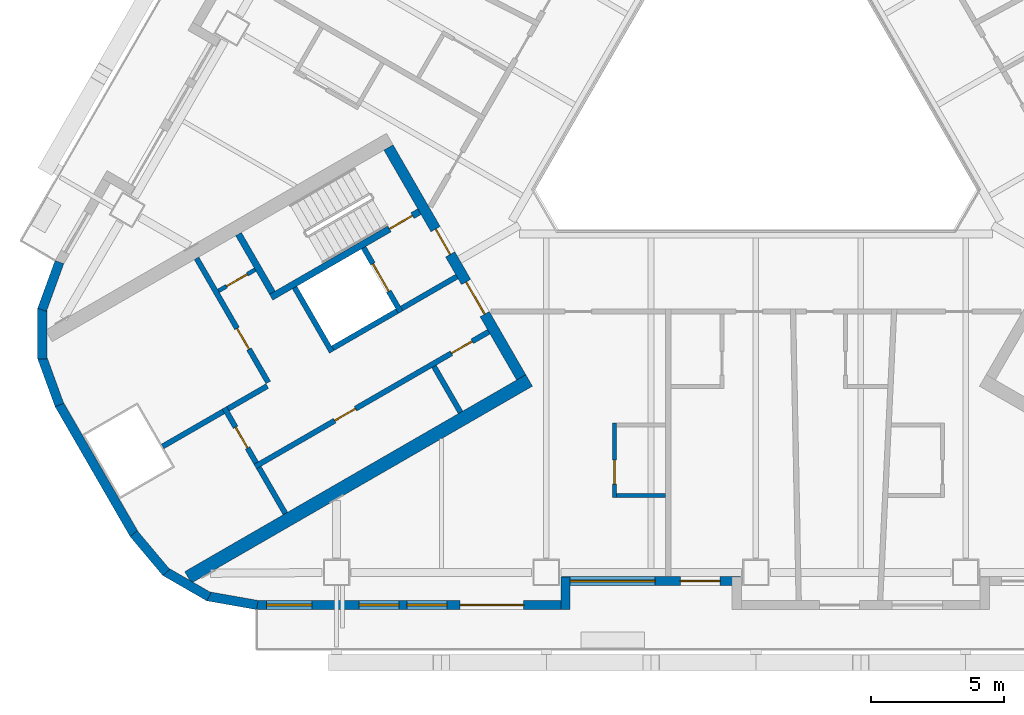
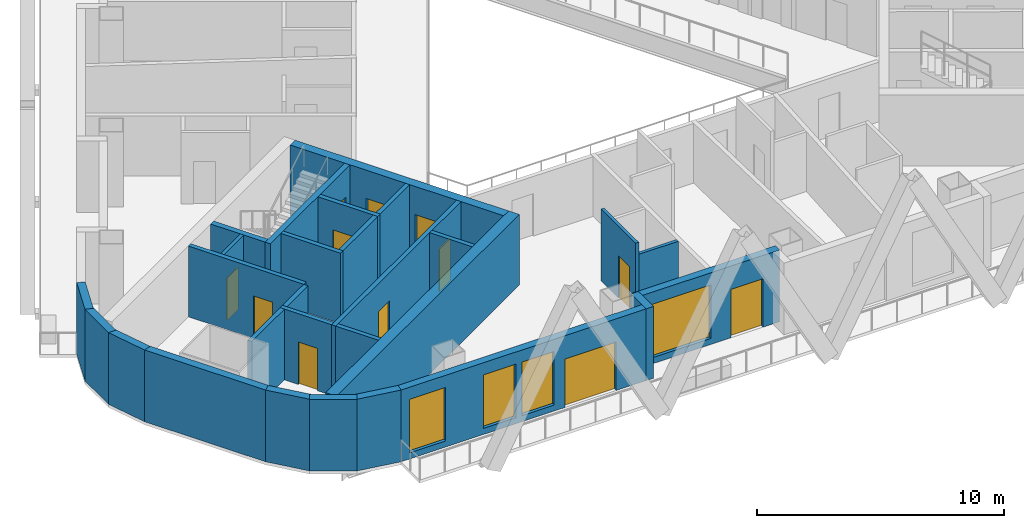
# One storey, part 5 of 17: 28 walls, 12 doors, 4 windows, 16 openings.
"""IFC4 building model written with IfcOpenShell, lengths in metres."""

from ifc_helpers import new_model, si_unit, direction, frame, frame_2d, origin, place, context, subcontext, project, spatial, rectangle, extrude, material, layer, layer_set, type_object, element, fill, save


model = new_model("IFC4")

# Units and contexts
model_context = context("Model", 3, precision=1e-05, world=origin(), true_north=direction((0.0, 1.0)))
body_context = subcontext(model_context, "Body", "Model", "MODEL_VIEW")
ifc_project = project(units=[si_unit("LENGTHUNIT", "METRE"), si_unit("AREAUNIT", "SQUARE_METRE"), si_unit("VOLUMEUNIT", "CUBIC_METRE"), si_unit("PLANEANGLEUNIT", "RADIAN"), si_unit("MASSUNIT", "GRAM", prefix="KILO")], contexts=[model_context])

# Site, building, storey
site_placement = place(None, origin())
site = spatial("IfcSite", under=ifc_project, at=site_placement, CompositionType="ELEMENT")
building_placement = place(site_placement, origin())
building = spatial("IfcBuilding", under=site, at=building_placement, Name="Apuvela Tower Hotel", CompositionType="ELEMENT")
storey_placement = place(building_placement, frame((0.0, 0.0, 46.5)))
storey = spatial("IfcBuildingStorey", under=building, at=storey_placement, Name="L08", CompositionType="ELEMENT", Elevation=46.5)

# Wall, openings, doors
ifc_material_1 = material(Name="Concrete C50/60", Category="concrete")
ifc_layer_1 = layer(ifc_material_1, 0.39990234375)
ifc_layer_set_1 = layer_set([ifc_layer_1], Name="COR-WALL-CORE-400")
wall_type_1 = type_object("IfcWallType", Name="COR-WALL-CORE-400", PredefinedType="SHEAR", material=ifc_layer_set_1)
wall_1_placement = place(storey_placement, frame((-13.844970703125, -2.219970703125, 0.0), z_axis=(0.0, 0.0, 1.0), x_axis=(0.500004234368, -0.866022959057, 0.0)))
wall_1 = element("IfcWall", 1, at=wall_1_placement, inside=storey, type_object=wall_type_1, Name="Core wall SW", PredefinedType="SHEAR", context=body_context, shape_type="SweptSolid", body=[
    extrude(rectangle(XDim=10.0, YDim=0.39990234375, at=frame_2d((5.0, 0.0))), origin(), (0.0, 0.0, 1.0), 3.5),
])
opening_1_placement = place(wall_1_placement, frame((3.550048828125, 0.0, 0.0)))
opening_1 = element("IfcOpeningElement", 2, at=opening_1_placement, cuts=wall_1, Name="Opening W-FD", PredefinedType="OPENING", context=body_context, shape_type="SweptSolid", body=[
    extrude(rectangle(XDim=1.10009765625, YDim=2.10009765625, at=frame_2d((0.550048828125, 1.050048828125))), frame((0.0, 0.2099609375, 0.0), z_axis=(0.0, -1.0, 0.0), x_axis=(1.0, 0.0, 0.0)), (0.0, 0.0, 1.0), 0.419921875),
])
opening_2_placement = place(wall_1_placement, frame((5.85009765625, 0.0, 0.0)))
opening_2 = element("IfcOpeningElement", 3, at=opening_2_placement, cuts=wall_1, Name="Opening W-GD", PredefinedType="OPENING", context=body_context, shape_type="SweptSolid", body=[
    extrude(rectangle(XDim=1.39990234375, YDim=2.10009765625, at=frame_2d((0.699951171875, 1.050048828125))), frame((0.0, 0.2099609375, 0.0), z_axis=(0.0, -1.0, 0.0), x_axis=(1.0, 0.0, 0.0)), (0.0, 0.0, 1.0), 0.419921875),
])
ifc_material_2 = material(Name="Steel fire door, powder coated", Category="steel")
door_type_1 = type_object("IfcDoorType", Name="COR-FD-1100", OperationType="NOTDEFINED", PredefinedType="DOOR", material=ifc_material_2)
door_1_placement = place(opening_1_placement, frame((1.10009765625, 0.0, 0.0), z_axis=(0.0, 0.0, 1.0), x_axis=(-1.0, 0.0, 0.0)))
door_1 = element("IfcDoor", 4, at=door_1_placement, inside=storey, type_object=door_type_1, Name="Firefighting lobby door W-FD", OperationType="SINGLE_SWING_LEFT", OverallHeight=2.10009765625, OverallWidth=1.10009765625, PredefinedType="DOOR", context=body_context, shape_type="SweptSolid", body=[
    extrude(rectangle(XDim=1.10009765625, YDim=2.10009765625, at=frame_2d((0.550048828125, 1.050048828125))), frame((0.0, 0.02490234375, 0.0), z_axis=(0.0, -1.0, 0.0), x_axis=(1.0, 0.0, 0.0)), (0.0, 0.0, 1.0), 0.050048828125),
])
fill(opening_1, door_1)
ifc_material_3 = material(Name="Glazed steel fire door", Category="steel")
door_type_2 = type_object("IfcDoorType", Name="COR-GD-1400", OperationType="DOUBLE_DOOR_SINGLE_SWING", PredefinedType="DOOR", material=ifc_material_3)
door_2_placement = place(opening_2_placement, frame((1.39990234375, 0.0, 0.0), z_axis=(0.0, 0.0, 1.0), x_axis=(-1.0, 0.0, 0.0)))
door_2 = element("IfcDoor", 5, at=door_2_placement, inside=storey, type_object=door_type_2, Name="Lift lobby door W-GD", OperationType="DOUBLE_DOOR_SINGLE_SWING", OverallHeight=2.10009765625, OverallWidth=1.39990234375, PredefinedType="DOOR", context=body_context, shape_type="SweptSolid", body=[
    extrude(rectangle(XDim=1.39990234375, YDim=2.10009765625, at=frame_2d((0.699951171875, 1.050048828125))), frame((0.0, 0.02490234375, 0.0), z_axis=(0.0, -1.0, 0.0), x_axis=(1.0, 0.0, 0.0)), (0.0, 0.0, 1.0), 0.050048828125),
])
fill(opening_2, door_2)

# Wall
ifc_layer_2 = layer(ifc_material_1, 0.5)
ifc_layer_set_2 = layer_set([ifc_layer_2], Name="COR-WALL-CORE-500")
wall_type_2 = type_object("IfcWallType", Name="COR-WALL-CORE-500", PredefinedType="SHEAR", material=ifc_layer_set_2)
wall_2_placement = place(storey_placement, frame((-8.546630859375, -10.99658203125, 0.0), z_axis=(0.0, 0.0, 1.0), x_axis=(-0.866025009528, -0.500000682871, 0.0)))
element("IfcWall", 6, at=wall_2_placement, inside=storey, type_object=wall_type_2, Name="Core wall SW", PredefinedType="SHEAR", context=body_context, shape_type="SweptSolid", body=[
    extrude(rectangle(XDim=14.8369140625, YDim=0.5, at=frame_2d((7.41845703125, 0.0))), origin(), (0.0, 0.0, 1.0), 3.5),
])

# Wall, opening, door
ifc_material_4 = material(Name="Blockwork 150 mm plastered", Category="masonry")
ifc_layer_3 = layer(ifc_material_4, 0.14990234375)
ifc_layer_set_3 = layer_set([ifc_layer_3], Name="COR-WALL-PART-150")
wall_type_3 = type_object("IfcWallType", Name="COR-WALL-PART-150", PredefinedType="PARTITIONING", material=ifc_layer_set_3)
wall_3_placement = place(storey_placement, frame((-18.866455078125, -6.822265625, 0.0), z_axis=(0.0, 0.0, 1.0), x_axis=(-0.866028054938, -0.499995408039, 0.0)))
wall_3 = element("IfcWall", 7, at=wall_3_placement, inside=storey, type_object=wall_type_3, Name="Partition SW", PredefinedType="PARTITIONING", context=body_context, shape_type="SweptSolid", body=[
    extrude(rectangle(XDim=1.60009765625, YDim=0.14990234375, at=frame_2d((0.800048828125, 0.0))), origin(), (0.0, 0.0, 1.0), 3.5),
])
opening_3_placement = place(wall_3_placement, frame((0.35009765625, 0.0, 0.0)))
opening_3 = element("IfcOpeningElement", 8, at=opening_3_placement, cuts=wall_3, Name="Opening W-RD", PredefinedType="OPENING", context=body_context, shape_type="SweptSolid", body=[
    extrude(rectangle(XDim=0.89990234375, YDim=2.10009765625, at=frame_2d((0.449951171875, 1.050048828125))), frame((0.0, 0.0849609375, 0.0), z_axis=(0.0, -1.0, 0.0), x_axis=(1.0, 0.0, 0.0)), (0.0, 0.0, 1.0), 0.169921875),
])
ifc_material_5 = material(Name="Steel access door, powder coated", Category="steel")
door_type_3 = type_object("IfcDoorType", Name="COR-RD-900", OperationType="NOTDEFINED", PredefinedType="DOOR", material=ifc_material_5)
door_3_placement = place(opening_3_placement, frame((0.89990234375, 0.0, 0.0), z_axis=(0.0, 0.0, 1.0), x_axis=(-1.0, 0.0, 0.0)))
door_3 = element("IfcDoor", 9, at=door_3_placement, inside=storey, type_object=door_type_3, Name="Riser door W-RD", OperationType="SINGLE_SWING_RIGHT", OverallHeight=2.10009765625, OverallWidth=0.89990234375, PredefinedType="DOOR", context=body_context, shape_type="SweptSolid", body=[
    extrude(rectangle(XDim=0.89990234375, YDim=2.10009765625, at=frame_2d((0.449951171875, 1.050048828125))), frame((0.0, 0.02490234375, 0.0), z_axis=(0.0, -1.0, 0.0), x_axis=(1.0, 0.0, 0.0)), (0.0, 0.0, 1.0), 0.050048828125),
])
fill(opening_3, door_3)

ifc_material_6 = material(Name="Blockwork 200 mm plastered", Category="masonry")
ifc_layer_4 = layer(ifc_material_6, 0.199951171875)
ifc_layer_set_4 = layer_set([ifc_layer_4], Name="COR-WALL-PART-200")
wall_type_4 = type_object("IfcWallType", Name="COR-WALL-PART-200", PredefinedType="PARTITIONING", material=ifc_layer_set_4)
wall_4_placement = place(storey_placement, frame((-21.076171875, -6.39501953125, 0.0), z_axis=(0.0, 0.0, 1.0), x_axis=(0.50001468107, -0.866016927499, 0.0)))
wall_4 = element("IfcWall", 10, at=wall_4_placement, inside=storey, type_object=wall_type_4, Name="Partition SW", PredefinedType="PARTITIONING", context=body_context, shape_type="SweptSolid", body=[
    extrude(rectangle(XDim=5.399658203125, YDim=0.199951171875, at=frame_2d((2.69970703125, 0.0))), origin(), (0.0, 0.0, 1.0), 3.5),
])
opening_4_placement = place(wall_4_placement, frame((3.050048828125, 0.0, 0.0)))
opening_4 = element("IfcOpeningElement", 11, at=opening_4_placement, cuts=wall_4, Name="Opening W-RS1", PredefinedType="OPENING", context=body_context, shape_type="SweptSolid", body=[
    extrude(rectangle(XDim=0.89990234375, YDim=2.10009765625, at=frame_2d((0.449951171875, 1.050048828125))), frame((0.0, 0.10986328125, 0.0), z_axis=(0.0, -1.0, 0.0), x_axis=(1.0, 0.0, 0.0)), (0.0, 0.0, 1.0), 0.219970703125),
])
door_type_4 = type_object("IfcDoorType", Name="COR-DR-900", OperationType="NOTDEFINED", PredefinedType="DOOR", material=ifc_material_2)
door_4_placement = place(opening_4_placement, frame((0.89990234375, 0.0, 0.0), z_axis=(0.0, 0.0, 1.0), x_axis=(-1.0, 0.0, 0.0)))
door_4 = element("IfcDoor", 12, at=door_4_placement, inside=storey, type_object=door_type_4, Name="Store door W-RS1", OperationType="SINGLE_SWING_LEFT", OverallHeight=2.10009765625, OverallWidth=0.89990234375, PredefinedType="DOOR", context=body_context, shape_type="SweptSolid", body=[
    extrude(rectangle(XDim=0.89990234375, YDim=2.10009765625, at=frame_2d((0.449951171875, 1.050048828125))), frame((0.0, 0.02490234375, 0.0), z_axis=(0.0, -1.0, 0.0), x_axis=(1.0, 0.0, 0.0)), (0.0, 0.0, 1.0), 0.050048828125),
])
fill(opening_4, door_4)

# Wall
ifc_layer_5 = layer(ifc_material_1, 0.199951171875)
ifc_layer_set_5 = layer_set([ifc_layer_5], Name="COR-WALL-SHAFT-200")
wall_type_5 = type_object("IfcWallType", Name="COR-WALL-SHAFT-200", PredefinedType="SHEAR", material=ifc_layer_set_5)
wall_5_placement = place(storey_placement, frame((-17.38134765625, -7.49462890625, 0.0), z_axis=(0.0, 0.0, 1.0), x_axis=(0.500011755427, -0.866018616679, 0.0)))
element("IfcWall", 13, at=wall_5_placement, inside=storey, type_object=wall_type_5, Name="Shaft wall SW", PredefinedType="SHEAR", context=body_context, shape_type="SweptSolid", body=[
    extrude(rectangle(XDim=2.80029296875, YDim=0.199951171875, at=frame_2d((1.400146484375, 0.0))), origin(), (0.0, 0.0, 1.0), 3.5),
])

# Wall, opening, door
wall_6_placement = place(storey_placement, frame((-14.783203125, -5.99462890625, 0.0), z_axis=(0.0, 0.0, 1.0), x_axis=(0.49994636267, -0.866056369097, 0.0)))
wall_6 = element("IfcWall", 14, at=wall_6_placement, inside=storey, type_object=wall_type_5, Name="Shaft wall SW", PredefinedType="SHEAR", context=body_context, shape_type="SweptSolid", body=[
    extrude(rectangle(XDim=2.800048828125, YDim=0.199951171875, at=frame_2d((1.39990234375, 0.0))), origin(), (0.0, 0.0, 1.0), 3.5),
])
opening_5_placement = place(wall_6_placement, frame((0.699951171875, 0.0, 0.0)))
opening_5 = element("IfcOpeningElement", 15, at=opening_5_placement, cuts=wall_6, Name="Opening W-LD-FS2", PredefinedType="OPENING", context=body_context, shape_type="SweptSolid", body=[
    extrude(rectangle(XDim=1.199951171875, YDim=2.10009765625, at=frame_2d((0.60009765625, 1.050048828125))), frame((0.0, 0.10986328125, 0.0), z_axis=(0.0, -1.0, 0.0), x_axis=(1.0, 0.0, 0.0)), (0.0, 0.0, 1.0), 0.219970703125),
])
ifc_material_7 = material(Name="Stainless steel lift landing door", Category="steel")
door_type_5 = type_object("IfcDoorType", Name="COR-LD-1200", OperationType="DOUBLE_DOOR_SLIDING", PredefinedType="DOOR", material=ifc_material_7)
door_5_placement = place(opening_5_placement, origin())
door_5 = element("IfcDoor", 16, at=door_5_placement, inside=storey, type_object=door_type_5, Name="Lift landing door W-LD-FS2", OperationType="DOUBLE_DOOR_SLIDING", OverallHeight=2.10009765625, OverallWidth=1.199951171875, PredefinedType="DOOR", context=body_context, shape_type="SweptSolid", body=[
    extrude(rectangle(XDim=1.199951171875, YDim=2.10009765625, at=frame_2d((0.60009765625, 1.050048828125))), frame((0.0, 0.02490234375, 0.0), z_axis=(0.0, -1.0, 0.0), x_axis=(1.0, 0.0, 0.0)), (0.0, 0.0, 1.0), 0.050048828125),
])
fill(opening_5, door_5)

# Walls
wall_7_placement = place(storey_placement, frame((-13.519775390625, -8.383056640625, 0.0), z_axis=(0.0, 0.0, 1.0), x_axis=(-0.866034573852, -0.49998411664, 0.0)))
element("IfcWall", 17, at=wall_7_placement, inside=storey, type_object=wall_type_5, Name="Shaft wall SW", PredefinedType="SHEAR", context=body_context, shape_type="SweptSolid", body=[
    extrude(rectangle(XDim=2.7998046875, YDim=0.199951171875, at=frame_2d((1.39990234375, 0.0))), origin(), (0.0, 0.0, 1.0), 3.5),
])
wall_8_placement = place(storey_placement, frame((-11.26806640625, -7.0830078125, 0.0), z_axis=(0.0, 0.0, 1.0), x_axis=(-0.866050077142, -0.499957262057, 0.0)))
element("IfcWall", 18, at=wall_8_placement, inside=storey, type_object=wall_type_5, Name="Shaft wall SW", PredefinedType="SHEAR", context=body_context, shape_type="SweptSolid", body=[
    extrude(rectangle(XDim=2.400146484375, YDim=0.199951171875, at=frame_2d((1.2001953125, 0.0))), origin(), (0.0, 0.0, 1.0), 3.5),
])

# Wall, openings, doors
wall_9_placement = place(storey_placement, frame((-10.068115234375, -9.16162109375, 0.0), z_axis=(0.0, 0.0, 1.0), x_axis=(-0.866032725843, -0.499987317609, 0.0)))
wall_9 = element("IfcWall", 19, at=wall_9_placement, inside=storey, type_object=wall_type_5, Name="Shaft wall SW", PredefinedType="SHEAR", context=body_context, shape_type="SweptSolid", body=[
    extrude(rectangle(XDim=10.159912109375, YDim=0.199951171875, at=frame_2d((5.080078125, 0.0))), origin(), (0.0, 0.0, 1.0), 3.5),
])
opening_6_placement = place(wall_9_placement, frame((0.719970703125, 0.0, 0.0)))
opening_6 = element("IfcOpeningElement", 20, at=opening_6_placement, cuts=wall_9, Name="Opening W-RE1", PredefinedType="OPENING", context=body_context, shape_type="SweptSolid", body=[
    extrude(rectangle(XDim=0.89990234375, YDim=2.10009765625, at=frame_2d((0.449951171875, 1.050048828125))), frame((0.0, 0.10986328125, 0.0), z_axis=(0.0, -1.0, 0.0), x_axis=(1.0, 0.0, 0.0)), (0.0, 0.0, 1.0), 0.219970703125),
])
opening_7_placement = place(wall_9_placement, frame((5.800048828125, 0.0, 0.0)))
opening_7 = element("IfcOpeningElement", 21, at=opening_7_placement, cuts=wall_9, Name="Opening W-RE2", PredefinedType="OPENING", context=body_context, shape_type="SweptSolid", body=[
    extrude(rectangle(XDim=0.89990234375, YDim=2.10009765625, at=frame_2d((0.449951171875, 1.050048828125))), frame((0.0, 0.10986328125, 0.0), z_axis=(0.0, -1.0, 0.0), x_axis=(1.0, 0.0, 0.0)), (0.0, 0.0, 1.0), 0.219970703125),
])
door_6_placement = place(opening_6_placement, origin())
door_6 = element("IfcDoor", 22, at=door_6_placement, inside=storey, type_object=door_type_4, Name="Store door W-RE1", OperationType="SINGLE_SWING_LEFT", OverallHeight=2.10009765625, OverallWidth=0.89990234375, PredefinedType="DOOR", context=body_context, shape_type="SweptSolid", body=[
    extrude(rectangle(XDim=0.89990234375, YDim=2.10009765625, at=frame_2d((0.449951171875, 1.050048828125))), frame((0.0, 0.02490234375, 0.0), z_axis=(0.0, -1.0, 0.0), x_axis=(1.0, 0.0, 0.0)), (0.0, 0.0, 1.0), 0.050048828125),
])
fill(opening_6, door_6)
door_7_placement = place(opening_7_placement, origin())
door_7 = element("IfcDoor", 23, at=door_7_placement, inside=storey, type_object=door_type_4, Name="Store door W-RE2", OperationType="SINGLE_SWING_RIGHT", OverallHeight=2.10009765625, OverallWidth=0.89990234375, PredefinedType="DOOR", context=body_context, shape_type="SweptSolid", body=[
    extrude(rectangle(XDim=0.89990234375, YDim=2.10009765625, at=frame_2d((0.449951171875, 1.050048828125))), frame((0.0, 0.02490234375, 0.0), z_axis=(0.0, -1.0, 0.0), x_axis=(1.0, 0.0, 0.0)), (0.0, 0.0, 1.0), 0.050048828125),
])
fill(opening_7, door_7)

# Wall, opening, door
wall_10_placement = place(storey_placement, frame((-20.030517578125, -12.0263671875, 0.0), z_axis=(0.0, 0.0, 1.0), x_axis=(0.500033551112, -0.866006032174, 0.0)))
wall_10 = element("IfcWall", 24, at=wall_10_placement, inside=storey, type_object=wall_type_5, Name="Shaft wall SW", PredefinedType="SHEAR", context=body_context, shape_type="SweptSolid", body=[
    extrude(rectangle(XDim=2.400146484375, YDim=0.199951171875, at=frame_2d((1.2001953125, 0.0))), origin(), (0.0, 0.0, 1.0), 3.5),
])
opening_8_placement = place(wall_10_placement, frame((0.85009765625, 0.0, 0.0)))
opening_8 = element("IfcOpeningElement", 25, at=opening_8_placement, cuts=wall_10, Name="Opening W-REP", PredefinedType="OPENING", context=body_context, shape_type="SweptSolid", body=[
    extrude(rectangle(XDim=0.89990234375, YDim=2.10009765625, at=frame_2d((0.449951171875, 1.050048828125))), frame((0.0, 0.10986328125, 0.0), z_axis=(0.0, -1.0, 0.0), x_axis=(1.0, 0.0, 0.0)), (0.0, 0.0, 1.0), 0.219970703125),
])
door_8_placement = place(opening_8_placement, frame((0.89990234375, 0.0, 0.0), z_axis=(0.0, 0.0, 1.0), x_axis=(-1.0, 0.0, 0.0)))
door_8 = element("IfcDoor", 26, at=door_8_placement, inside=storey, type_object=door_type_4, Name="Store door W-REP", OperationType="SINGLE_SWING_LEFT", OverallHeight=2.10009765625, OverallWidth=0.89990234375, PredefinedType="DOOR", context=body_context, shape_type="SweptSolid", body=[
    extrude(rectangle(XDim=0.89990234375, YDim=2.10009765625, at=frame_2d((0.449951171875, 1.050048828125))), frame((0.0, 0.02490234375, 0.0), z_axis=(0.0, -1.0, 0.0), x_axis=(1.0, 0.0, 0.0)), (0.0, 0.0, 1.0), 0.050048828125),
])
fill(opening_8, door_8)

# Walls
wall_11_placement = place(storey_placement, frame((-18.412841796875, -11.2080078125, 0.0), z_axis=(0.0, 0.0, 1.0), x_axis=(-0.866038183914, -0.499977863513, 0.0)))
element("IfcWall", 27, at=wall_11_placement, inside=storey, type_object=wall_type_5, Name="Shaft wall SW", PredefinedType="SHEAR", context=body_context, shape_type="SweptSolid", body=[
    extrude(rectangle(XDim=1.7099609375, YDim=0.199951171875, at=frame_2d((0.85498046875, 0.0))), origin(), (0.0, 0.0, 1.0), 3.5),
])
for number, where, z_axis, x_axis, name in (
    (28, (-12.131103515625, -10.468017578125, 0.0), (0.0, 0.0, 1.0), (0.499972520799, -0.866041268327, 0.0), "Shaft wall SW"),
    (29, (-18.73046875, -14.278076171875, 0.0), (0.0, 0.0, 1.0), (0.50002537861, -0.866010750942, 0.0), "Shaft wall SW"),
):
    element("IfcWall", number, at=place(storey_placement, frame(where, z_axis=z_axis, x_axis=x_axis)), inside=storey, type_object=wall_type_5, Name=name, PredefinedType="SHEAR", context=body_context, shape_type="SweptSolid", body=[
        extrude(rectangle(XDim=2.0, YDim=0.199951171875, at=frame_2d((1.0, 0.0))), origin(), (0.0, 0.0, 1.0), 3.5),
    ])
wall_12_placement = place(storey_placement, frame((-20.06689453125, -12.1630859375, 0.0), z_axis=(0.0, 0.0, 1.0), x_axis=(-0.866060851709, -0.499938597367, 0.0)))
element("IfcWall", 30, at=wall_12_placement, inside=storey, type_object=wall_type_5, Name="Shaft wall SW", PredefinedType="SHEAR", context=body_context, shape_type="SweptSolid", body=[
    extrude(rectangle(XDim=2.639892578125, YDim=0.199951171875, at=frame_2d((1.31982421875, 0.0))), origin(), (0.0, 0.0, 1.0), 3.5),
])

# Wall, opening, door
ifc_layer_6 = layer(ifc_material_1, 0.25)
ifc_layer_set_6 = layer_set([ifc_layer_6], Name="COR-WALL-STAIR-250")
wall_type_6 = type_object("IfcWallType", Name="COR-WALL-STAIR-250", PredefinedType="SHEAR", material=ifc_layer_set_6)
wall_13_placement = place(storey_placement, frame((-12.6806640625, -4.636474609375, 0.0), z_axis=(0.0, 0.0, 1.0), x_axis=(-0.866021702275, -0.500006411147, 0.0)))
wall_13 = element("IfcWall", 31, at=wall_13_placement, inside=storey, type_object=wall_type_6, Name="Stair wall SW", PredefinedType="SHEAR", context=body_context, shape_type="SweptSolid", body=[
    extrude(rectangle(XDim=6.4501953125, YDim=0.25, at=frame_2d((3.22509765625, 0.0))), origin(), (0.0, 0.0, 1.0), 3.5),
])
opening_9_placement = place(wall_13_placement, frame((0.300048828125, 0.0, 0.0)))
opening_9 = element("IfcOpeningElement", 32, at=opening_9_placement, cuts=wall_13, Name="Opening W-SD", PredefinedType="OPENING", context=body_context, shape_type="SweptSolid", body=[
    extrude(rectangle(XDim=1.0, YDim=2.10009765625, at=frame_2d((0.5, 1.050048828125))), frame((0.0, 0.135009765625, 0.0), z_axis=(0.0, -1.0, 0.0), x_axis=(1.0, 0.0, 0.0)), (0.0, 0.0, 1.0), 0.27001953125),
])
door_type_6 = type_object("IfcDoorType", Name="COR-SD-1000", OperationType="NOTDEFINED", PredefinedType="DOOR", material=ifc_material_2)
door_9_placement = place(opening_9_placement, frame((1.0, 0.0, 0.0), z_axis=(0.0, 0.0, 1.0), x_axis=(-1.0, 0.0, 0.0)))
door_9 = element("IfcDoor", 33, at=door_9_placement, inside=storey, type_object=door_type_6, Name="Stair door W-SD", OperationType="SINGLE_SWING_LEFT", OverallHeight=2.10009765625, OverallWidth=1.0, PredefinedType="DOOR", context=body_context, shape_type="SweptSolid", body=[
    extrude(rectangle(XDim=1.0, YDim=2.10009765625, at=frame_2d((0.5, 1.050048828125))), frame((0.0, 0.02490234375, 0.0), z_axis=(0.0, -1.0, 0.0), x_axis=(1.0, 0.0, 0.0)), (0.0, 0.0, 1.0), 0.050048828125),
])
fill(opening_9, door_9)

# Walls
wall_14_placement = place(storey_placement, frame((-19.49560546875, -5.482421875, 0.0), z_axis=(0.0, 0.0, 1.0), x_axis=(0.499990435942, -0.866030925526, 0.0)))
element("IfcWall", 34, at=wall_14_placement, inside=storey, type_object=wall_type_6, Name="Stair wall SW", PredefinedType="SHEAR", context=body_context, shape_type="SweptSolid", body=[
    extrude(rectangle(XDim=2.5498046875, YDim=0.25, at=frame_2d((1.27490234375, 0.0))), origin(), (0.0, 0.0, 1.0), 3.5),
])
ifc_material_8 = material(Name="Concrete C40/50, dark pigmented precast panel", Category="concrete")
ifc_layer_7 = layer(ifc_material_8, 0.35009765625)
ifc_layer_set_7 = layer_set([ifc_layer_7], Name="ENV-WALL-350")
wall_type_7 = type_object("IfcWallType", Name="ENV-WALL-350", PredefinedType="SOLIDWALL", material=ifc_layer_set_7)
for number, where, z_axis, x_axis, name in (
    (35, (-26.24365234375, -6.539794921875, 0.0), (0.0, 0.0, 1.0), (-0.342030395486, -0.939688889242, 0.0), "External wall L08-10"),
    (36, (-26.88623046875, -8.27490234375, 0.0), (0.0, 0.0, 1.0), (0.0, -1.0, 0.0), "External wall L08-11"),
    (37, (-26.89697265625, -10.125244140625, 0.0), (0.0, 0.0, 1.0), (0.342030395486, -0.939688889242, 0.0), "External wall L08-12"),
):
    element("IfcWall", number, at=place(storey_placement, frame(where, z_axis=z_axis, x_axis=x_axis)), inside=storey, type_object=wall_type_7, Name=name, PredefinedType="SOLIDWALL", context=body_context, shape_type="SweptSolid", body=[
        extrude(rectangle(XDim=1.91015625, YDim=0.35009765625, at=frame_2d((0.955078125, 0.0))), origin(), (0.0, 0.0, 1.0), 3.550048828125),
    ])
wall_15_placement = place(storey_placement, frame((-26.256591796875, -11.892578125, 0.0), z_axis=(0.0, 0.0, 1.0), x_axis=(0.500018773155, -0.866014564827, 0.0)))
element("IfcWall", 38, at=wall_15_placement, inside=storey, type_object=wall_type_7, Name="External wall L08-13", PredefinedType="SOLIDWALL", context=body_context, shape_type="SweptSolid", body=[
    extrude(rectangle(XDim=5.657958984375, YDim=0.35009765625, at=frame_2d((2.8291015625, 0.0))), origin(), (0.0, 0.0, 1.0), 3.550048828125),
])
for number, where, z_axis, x_axis, name in (
    (39, (-23.44482421875, -16.767578125, 0.0), (0.0, 0.0, 1.0), (0.642733291068, -0.76609001857, 0.0), "External wall L08-14"),
    (40, (-22.263671875, -18.191650390625, 0.0), (0.0, 0.0, 1.0), (0.866000389056, -0.500043324278, 0.0), "External wall L08-15"),
):
    element("IfcWall", number, at=place(storey_placement, frame(where, z_axis=z_axis, x_axis=x_axis)), inside=storey, type_object=wall_type_7, Name=name, PredefinedType="SOLIDWALL", context=body_context, shape_type="SweptSolid", body=[
        extrude(rectangle(XDim=1.909912109375, YDim=0.35009765625, at=frame_2d((0.955078125, 0.0))), origin(), (0.0, 0.0, 1.0), 3.550048828125),
    ])
wall_16_placement = place(storey_placement, frame((-20.66650390625, -19.1259765625, 0.0), z_axis=(0.0, 0.0, 1.0), x_axis=(0.984798995425, -0.173697837091, 0.0)))
element("IfcWall", 41, at=wall_16_placement, inside=storey, type_object=wall_type_7, Name="External wall L08-16", PredefinedType="SOLIDWALL", context=body_context, shape_type="SweptSolid", body=[
    extrude(rectangle(XDim=1.91015625, YDim=0.35009765625, at=frame_2d((0.955078125, 0.0))), origin(), (0.0, 0.0, 1.0), 3.550048828125),
])

# Wall, openings, door, windows
wall_17_placement = place(storey_placement, frame((-18.81591796875, -19.455078125, 0.0), z_axis=(0.0, 0.0, 1.0), x_axis=(1.0, 0.0, 0.0)))
wall_17 = element("IfcWall", 42, at=wall_17_placement, inside=storey, type_object=wall_type_7, Name="External wall L08-17", PredefinedType="SOLIDWALL", context=body_context, shape_type="SweptSolid", body=[
    extrude(rectangle(XDim=11.81591796875, YDim=0.35009765625, at=frame_2d((5.907958984375, 0.0))), origin(), (0.0, 0.0, 1.0), 3.550048828125),
])
opening_10_placement = place(wall_17_placement, frame((0.380615234375, 0.0, 0.300048828125)))
opening_10 = element("IfcOpeningElement", 43, at=opening_10_placement, cuts=wall_17, Name="Opening WN17", PredefinedType="OPENING", context=body_context, shape_type="SweptSolid", body=[
    extrude(rectangle(XDim=1.699951171875, YDim=2.64990234375, at=frame_2d((0.85009765625, 1.324951171875))), frame((0.0, 0.18505859375, 0.0), z_axis=(0.0, -1.0, 0.0), x_axis=(1.0, 0.0, 0.0)), (0.0, 0.0, 1.0), 0.3701171875),
])
opening_11_placement = place(wall_17_placement, frame((7.665283203125, 0.0, 0.0)))
opening_11 = element("IfcOpeningElement", 44, at=opening_11_placement, cuts=wall_17, Name="Opening BD24", PredefinedType="OPENING", context=body_context, shape_type="SweptSolid", body=[
    extrude(rectangle(XDim=2.39990234375, YDim=2.39990234375, at=frame_2d((1.199951171875, 1.199951171875))), frame((0.0, 0.18505859375, 0.0), z_axis=(0.0, -1.0, 0.0), x_axis=(1.0, 0.0, 0.0)), (0.0, 0.0, 1.0), 0.3701171875),
])
opening_12_placement = place(wall_17_placement, frame((3.865966796875, 0.0, 0.300048828125)))
opening_12 = element("IfcOpeningElement", 45, at=opening_12_placement, cuts=wall_17, Name="Opening WN15", PredefinedType="OPENING", context=body_context, shape_type="SweptSolid", body=[
    extrude(rectangle(XDim=1.5, YDim=2.64990234375, at=frame_2d((0.75, 1.324951171875))), frame((0.0, 0.18505859375, 0.0), z_axis=(0.0, -1.0, 0.0), x_axis=(1.0, 0.0, 0.0)), (0.0, 0.0, 1.0), 0.3701171875),
])
opening_13_placement = place(wall_17_placement, frame((5.666015625, 0.0, 0.300048828125)))
opening_13 = element("IfcOpeningElement", 46, at=opening_13_placement, cuts=wall_17, Name="Opening WN15", PredefinedType="OPENING", context=body_context, shape_type="SweptSolid", body=[
    extrude(rectangle(XDim=1.5, YDim=2.64990234375, at=frame_2d((0.75, 1.324951171875))), frame((0.0, 0.18505859375, 0.0), z_axis=(0.0, -1.0, 0.0), x_axis=(1.0, 0.0, 0.0)), (0.0, 0.0, 1.0), 0.3701171875),
])
ifc_material_9 = material(Name="Aluminium 6063-T6, dark bronze anodised frame with dark tinted laminated glass", Category="aluminium")
door_type_7 = type_object("IfcDoorType", Name="ENV-DOOR-BALCONY-2400x2400", OperationType="SLIDING_TO_LEFT", PredefinedType="DOOR", material=ifc_material_9)
door_10_placement = place(opening_11_placement, frame((2.39990234375, 0.0, 0.0), z_axis=(0.0, 0.0, 1.0), x_axis=(-1.0, 0.0, 0.0)))
door_10 = element("IfcDoor", 47, at=door_10_placement, inside=storey, type_object=door_type_7, Name="Balcony door BD24", OperationType="SLIDING_TO_LEFT", OverallHeight=2.39990234375, OverallWidth=2.39990234375, PredefinedType="DOOR", context=body_context, shape_type="SweptSolid", body=[
    extrude(rectangle(XDim=2.39990234375, YDim=2.39990234375, at=frame_2d((1.199951171875, 1.199951171875))), frame((0.0, 0.02490234375, 0.0), z_axis=(0.0, -1.0, 0.0), x_axis=(1.0, 0.0, 0.0)), (0.0, 0.0, 1.0), 0.050048828125),
])
fill(opening_11, door_10)
ifc_material_10 = material(Name="Glass, dark tinted laminated insulated glazing unit", Category="glass")
window_type_1 = type_object("IfcWindowType", Name="ENV-WIN-1500x2650", PartitioningType="SINGLE_PANEL", PredefinedType="WINDOW", material=ifc_material_10)
window_1_placement = place(opening_12_placement, origin())
window_1 = element("IfcWindow", 48, at=window_1_placement, inside=storey, type_object=window_type_1, Name="Window WN15", OverallHeight=2.64990234375, OverallWidth=1.5, PartitioningType="SINGLE_PANEL", PredefinedType="WINDOW", context=body_context, shape_type="SweptSolid", body=[
    extrude(rectangle(XDim=1.5, YDim=2.64990234375, at=frame_2d((0.75, 1.324951171875))), frame((0.0, 0.030029296875, 0.0), z_axis=(0.0, -1.0, 0.0), x_axis=(1.0, 0.0, 0.0)), (0.0, 0.0, 1.0), 0.06005859375),
])
fill(opening_12, window_1)
window_2_placement = place(opening_13_placement, origin())
window_2 = element("IfcWindow", 49, at=window_2_placement, inside=storey, type_object=window_type_1, Name="Window WN15", OverallHeight=2.64990234375, OverallWidth=1.5, PartitioningType="SINGLE_PANEL", PredefinedType="WINDOW", context=body_context, shape_type="SweptSolid", body=[
    extrude(rectangle(XDim=1.5, YDim=2.64990234375, at=frame_2d((0.75, 1.324951171875))), frame((0.0, 0.030029296875, 0.0), z_axis=(0.0, -1.0, 0.0), x_axis=(1.0, 0.0, 0.0)), (0.0, 0.0, 1.0), 0.06005859375),
])
fill(opening_13, window_2)
window_type_2 = type_object("IfcWindowType", Name="ENV-WIN-1700x2650", PartitioningType="SINGLE_PANEL", PredefinedType="WINDOW", material=ifc_material_10)
window_3_placement = place(opening_10_placement, origin())
window_3 = element("IfcWindow", 50, at=window_3_placement, inside=storey, type_object=window_type_2, Name="Window WN17", OverallHeight=2.64990234375, OverallWidth=1.699951171875, PartitioningType="SINGLE_PANEL", PredefinedType="WINDOW", context=body_context, shape_type="SweptSolid", body=[
    extrude(rectangle(XDim=1.699951171875, YDim=2.64990234375, at=frame_2d((0.85009765625, 1.324951171875))), frame((0.0, 0.030029296875, 0.0), z_axis=(0.0, -1.0, 0.0), x_axis=(1.0, 0.0, 0.0)), (0.0, 0.0, 1.0), 0.06005859375),
])
fill(opening_10, window_3)

# Wall
wall_18_placement = place(storey_placement, frame((-7.175048828125, -19.6298828125, 0.0), z_axis=(0.0, 0.0, 1.0), x_axis=(0.0, 1.0, 0.0)))
element("IfcWall", 51, at=wall_18_placement, inside=storey, type_object=wall_type_7, Name="External wall L08-18", PredefinedType="SOLIDWALL", context=body_context, shape_type="SweptSolid", body=[
    extrude(rectangle(XDim=1.219970703125, YDim=0.35009765625, at=frame_2d((0.60986328125, 0.0))), origin(), (0.0, 0.0, 1.0), 3.550048828125),
])

# Wall, openings, door, window
wall_19_placement = place(storey_placement, frame((-7.320068359375, -18.554931640625, 0.0), z_axis=(0.0, 0.0, 1.0), x_axis=(1.0, 0.0, 0.0)))
wall_19 = element("IfcWall", 52, at=wall_19_placement, inside=storey, type_object=wall_type_7, Name="External wall L08-19", PredefinedType="SOLIDWALL", context=body_context, shape_type="SweptSolid", body=[
    extrude(rectangle(XDim=6.739990234375, YDim=0.35009765625, at=frame_2d((3.3701171875, 0.0))), origin(), (0.0, 0.0, 1.0), 3.550048828125),
])
opening_14_placement = place(wall_19_placement, frame((0.3203125, 0.0, 0.300048828125)))
opening_14 = element("IfcOpeningElement", 53, at=opening_14_placement, cuts=wall_19, Name="Opening WN32", PredefinedType="OPENING", context=body_context, shape_type="SweptSolid", body=[
    extrude(rectangle(XDim=3.199951171875, YDim=2.64990234375, at=frame_2d((1.60009765625, 1.324951171875))), frame((0.0, 0.18505859375, 0.0), z_axis=(0.0, -1.0, 0.0), x_axis=(1.0, 0.0, 0.0)), (0.0, 0.0, 1.0), 0.3701171875),
])
opening_15_placement = place(wall_19_placement, frame((4.469970703125, 0.0, 0.0)))
opening_15 = element("IfcOpeningElement", 54, at=opening_15_placement, cuts=wall_19, Name="Opening BD15", PredefinedType="OPENING", context=body_context, shape_type="SweptSolid", body=[
    extrude(rectangle(XDim=1.5, YDim=2.39990234375, at=frame_2d((0.75, 1.199951171875))), frame((0.0, 0.18505859375, 0.0), z_axis=(0.0, -1.0, 0.0), x_axis=(1.0, 0.0, 0.0)), (0.0, 0.0, 1.0), 0.3701171875),
])
door_type_8 = type_object("IfcDoorType", Name="ENV-DOOR-BALCONY-1500x2400", OperationType="SLIDING_TO_LEFT", PredefinedType="DOOR", material=ifc_material_9)
door_11_placement = place(opening_15_placement, frame((1.5, 0.0, 0.0), z_axis=(0.0, 0.0, 1.0), x_axis=(-1.0, 0.0, 0.0)))
door_11 = element("IfcDoor", 55, at=door_11_placement, inside=storey, type_object=door_type_8, Name="Balcony door BD15", OperationType="SLIDING_TO_LEFT", OverallHeight=2.39990234375, OverallWidth=1.5, PredefinedType="DOOR", context=body_context, shape_type="SweptSolid", body=[
    extrude(rectangle(XDim=1.5, YDim=2.39990234375, at=frame_2d((0.75, 1.199951171875))), frame((0.0, 0.02490234375, 0.0), z_axis=(0.0, -1.0, 0.0), x_axis=(1.0, 0.0, 0.0)), (0.0, 0.0, 1.0), 0.050048828125),
])
fill(opening_15, door_11)
window_type_3 = type_object("IfcWindowType", Name="ENV-WIN-3200x2650", PartitioningType="SINGLE_PANEL", PredefinedType="WINDOW", material=ifc_material_10)
window_4_placement = place(opening_14_placement, origin())
window_4 = element("IfcWindow", 56, at=window_4_placement, inside=storey, type_object=window_type_3, Name="Window WN32", OverallHeight=2.64990234375, OverallWidth=3.199951171875, PartitioningType="SINGLE_PANEL", PredefinedType="WINDOW", context=body_context, shape_type="SweptSolid", body=[
    extrude(rectangle(XDim=3.199951171875, YDim=2.64990234375, at=frame_2d((1.60009765625, 1.324951171875))), frame((0.0, 0.030029296875, 0.0), z_axis=(0.0, -1.0, 0.0), x_axis=(1.0, 0.0, 0.0)), (0.0, 0.0, 1.0), 0.06005859375),
])
fill(opening_14, window_4)

# Wall, opening, door
ifc_material_11 = material(Name="Moisture-resistant gypsum board wet wall on steel stud", Category="steel")
ifc_layer_8 = layer(ifc_material_11, 0.14990234375)
ifc_layer_set_8 = layer_set([ifc_layer_8], Name="GST-PW3")
wall_type_8 = type_object("IfcWallType", Name="GST-PW3", PredefinedType="PARTITIONING", material=ifc_layer_set_8)
wall_20_placement = place(storey_placement, frame((-5.324951171875, -12.60009765625, 0.0), z_axis=(0.0, 0.0, 1.0), x_axis=(0.0, -1.0, 0.0)))
wall_20 = element("IfcWall", 57, at=wall_20_placement, inside=storey, type_object=wall_type_8, Name="L08 partition 13", PredefinedType="PARTITIONING", context=body_context, shape_type="SweptSolid", body=[
    extrude(rectangle(XDim=2.7998046875, YDim=0.14990234375, at=frame_2d((1.39990234375, 0.0))), origin(), (0.0, 0.0, 1.0), 3.550048828125),
])
opening_16_placement = place(wall_20_placement, frame((1.39990234375, 0.0, 0.0)))
opening_16 = element("IfcOpeningElement", 58, at=opening_16_placement, cuts=wall_20, Name="Opening GD01-01", PredefinedType="OPENING", context=body_context, shape_type="SweptSolid", body=[
    extrude(rectangle(XDim=0.89990234375, YDim=2.10009765625, at=frame_2d((0.449951171875, 1.050048828125))), frame((0.0, 0.0849609375, 0.0), z_axis=(0.0, -1.0, 0.0), x_axis=(1.0, 0.0, 0.0)), (0.0, 0.0, 1.0), 0.169921875),
])
ifc_material_12 = material(Name="Timber door leaf in steel frame", Category="steel")
door_type_9 = type_object("IfcDoorType", Name="GST-D2", OperationType="NOTDEFINED", PredefinedType="DOOR", material=ifc_material_12)
door_12_placement = place(opening_16_placement, origin())
door_12 = element("IfcDoor", 59, at=door_12_placement, inside=storey, type_object=door_type_9, Name="Door L08-01", OperationType="SINGLE_SWING_RIGHT", OverallHeight=2.10009765625, OverallWidth=0.89990234375, PredefinedType="DOOR", context=body_context, shape_type="SweptSolid", body=[
    extrude(rectangle(XDim=0.89990234375, YDim=2.10009765625, at=frame_2d((0.449951171875, 1.050048828125))), frame((0.0, 0.02490234375, 0.0), z_axis=(0.0, -1.0, 0.0), x_axis=(1.0, 0.0, 0.0)), (0.0, 0.0, 1.0), 0.050048828125),
])
fill(opening_16, door_12)

# Wall
wall_21_placement = place(storey_placement, frame((-5.25, -15.324951171875, 0.0), z_axis=(0.0, 0.0, 1.0), x_axis=(1.0, 0.0, 0.0)))
element("IfcWall", 60, at=wall_21_placement, inside=storey, type_object=wall_type_8, Name="L08 partition 14", PredefinedType="PARTITIONING", context=body_context, shape_type="SweptSolid", body=[
    extrude(rectangle(XDim=1.85009765625, YDim=0.14990234375, at=frame_2d((0.925048828125, 0.0))), origin(), (0.0, 0.0, 1.0), 2.949951171875),
])

save(model, "model.ifc")
